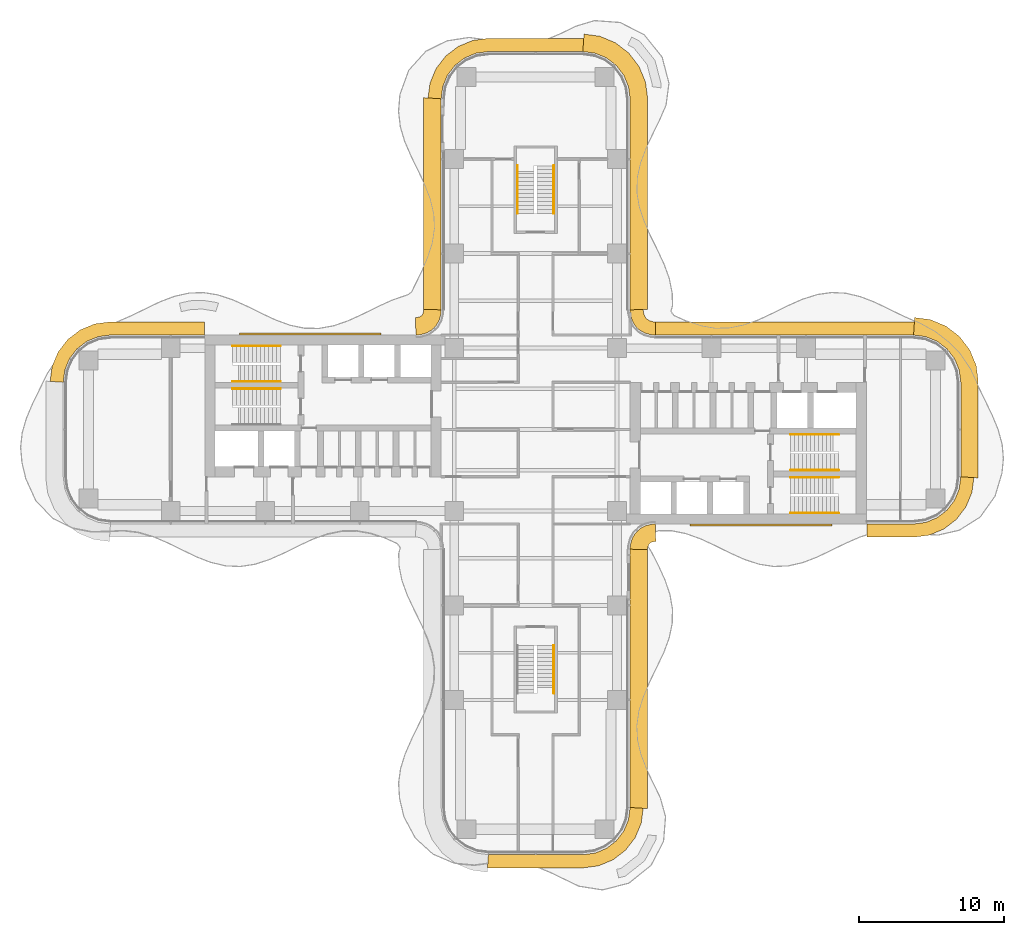
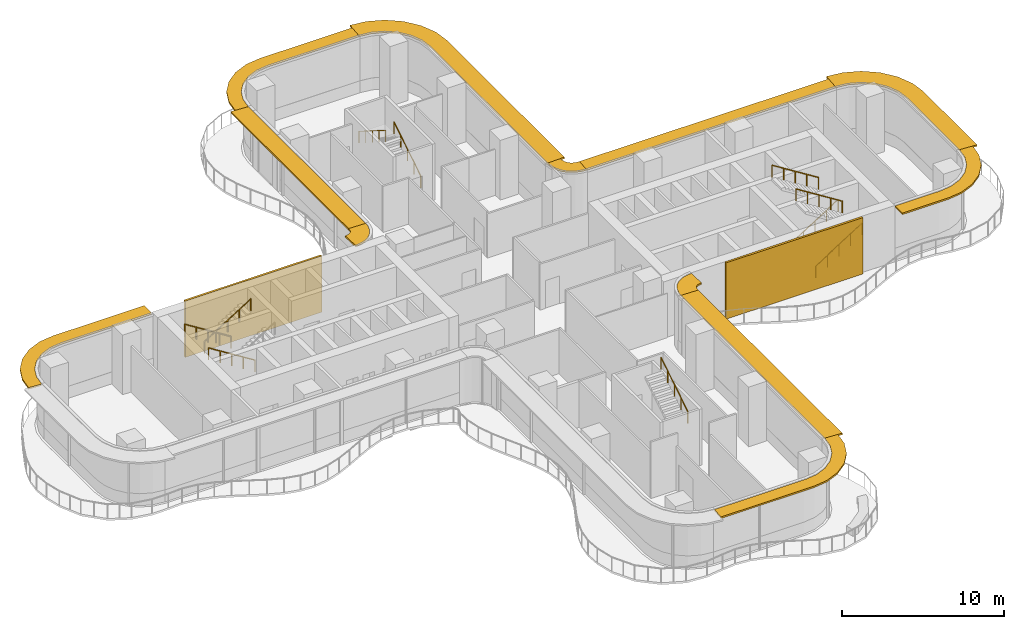
# One storey, part 23 of 23: 12 shading devices, 10 railings, 2 coverings.
"""IFC4 building model written with IfcOpenShell, lengths in metres."""

from ifc_helpers import new_model, si_unit, direction, frame, origin, origin_2d, place, context, subcontext, project, spatial, polyline, circle, outline, extrude, source, transform, mapped, material, layer, layer_set, type_object, element, save


model = new_model("IFC4")

# Units and contexts
model_context = context("Model", 3, precision=1e-05, world=origin(), true_north=direction((0.0, 1.0)))
body_context = subcontext(model_context, "Body", "Model", "MODEL_VIEW")
ifc_project = project(units=[si_unit("LENGTHUNIT", "METRE"), si_unit("AREAUNIT", "SQUARE_METRE"), si_unit("VOLUMEUNIT", "CUBIC_METRE"), si_unit("PLANEANGLEUNIT", "RADIAN"), si_unit("MASSUNIT", "GRAM", prefix="KILO")], contexts=[model_context])

# Site, building, storey
site_placement = place(None, origin())
site = spatial("IfcSite", under=ifc_project, at=site_placement, CompositionType="ELEMENT")
building_placement = place(site_placement, origin())
building = spatial("IfcBuilding", under=site, at=building_placement, Name="Trellis Farm Tower", CompositionType="ELEMENT")
storey_placement = place(building_placement, frame((0.0, 0.0, 120.0)))
storey = spatial("IfcBuildingStorey", under=building, at=storey_placement, Name="L25", CompositionType="ELEMENT", Elevation=120.0)

# Railings
ifc_material_1 = material(Name="Stainless steel", Category="steel")
railing_type = type_object("IfcRailingType", Name="STAIR HANDRAIL 900", PredefinedType="HANDRAIL", material=ifc_material_1)
shared_shape_1 = source(origin(), body_context, "Body", "SweptSolid", [
    extrude(circle(Radius=0.02392578125, at=origin_2d()), frame((0.0, 0.0, 0.8759765625), z_axis=(0.0, 0.846319618018, 0.532675421018), x_axis=(-1.0, 0.0, 0.0)), (0.0, 0.0, 1.0), 3.89892578125),
    extrude(circle(Radius=0.02099609375, at=origin_2d()), origin(), (0.0, 0.0, 1.0), 0.851806640625),
    extrude(circle(Radius=0.02099609375, at=origin_2d()), frame((0.0, 0.824951171875, 0.519287109375)), (0.0, 0.0, 1.0), 0.851806640625),
    extrude(circle(Radius=0.02099609375, at=origin_2d()), frame((0.0, 1.64990234375, 1.03857421875)), (0.0, 0.0, 1.0), 0.851806640625),
    extrude(circle(Radius=0.02099609375, at=origin_2d()), frame((0.0, 2.474853515625, 1.5576171875)), (0.0, 0.0, 1.0), 0.851806640625),
    extrude(circle(Radius=0.02099609375, at=origin_2d()), frame((0.0, 3.2998046875, 2.076904296875)), (0.0, 0.0, 1.0), 0.851806640625),
])
for number, where, name in (
    (1, (1.25, 14.85009765625, 0.173095703125), "Stair handrail"),
    (2, (1.25, -18.14990234375, 2.423095703125), "Stair handrail"),
):
    element("IfcRailing", number, at=place(storey_placement, frame(where)), inside=storey, type_object=railing_type, Name=name, PredefinedType="HANDRAIL", context=body_context, shape_type="MappedRepresentation", body=[
        mapped(shared_shape_1, transform((0.0, 0.0, 0.0))),
    ])
shared_shape_2 = source(origin(), body_context, "Body", "SweptSolid", [
    extrude(circle(Radius=0.02392578125, at=origin_2d()), frame((0.0, 0.0, 0.8759765625), z_axis=(0.0, -0.846319618018, 0.532675421018), x_axis=(1.0, 0.0, 0.0)), (0.0, 0.0, 1.0), 3.89892578125),
    extrude(circle(Radius=0.02099609375, at=origin_2d()), origin(), (0.0, 0.0, 1.0), 0.851806640625),
    extrude(circle(Radius=0.02099609375, at=origin_2d()), frame((0.0, -0.824951171875, 0.519287109375)), (0.0, 0.0, 1.0), 0.851806640625),
    extrude(circle(Radius=0.02099609375, at=origin_2d()), frame((0.0, -1.64990234375, 1.03857421875)), (0.0, 0.0, 1.0), 0.851806640625),
    extrude(circle(Radius=0.02099609375, at=origin_2d()), frame((0.0, -2.474853515625, 1.5576171875)), (0.0, 0.0, 1.0), 0.851806640625),
    extrude(circle(Radius=0.02099609375, at=origin_2d()), frame((0.0, -3.2998046875, 2.076904296875)), (0.0, 0.0, 1.0), 0.851806640625),
])
railing_placement = place(storey_placement, frame((-1.25, 18.14990234375, 2.423095703125)))
element("IfcRailing", 3, at=railing_placement, inside=storey, type_object=railing_type, Name="Stair handrail", PredefinedType="HANDRAIL", context=body_context, shape_type="MappedRepresentation", body=[
    mapped(shared_shape_2, transform((0.0, 0.0, 0.0))),
])
shared_shape_3 = source(origin(), body_context, "Body", "SweptSolid", [
    extrude(circle(Radius=0.02392578125, at=origin_2d()), frame((0.0, 0.0, 0.8759765625), z_axis=(0.846337383501, 0.0, 0.532647194011), x_axis=(0.0, 1.0, 0.0)), (0.0, 0.0, 1.0), 3.899169921875),
    extrude(circle(Radius=0.02099609375, at=origin_2d()), origin(), (0.0, 0.0, 1.0), 0.851806640625),
    extrude(circle(Radius=0.02099609375, at=origin_2d()), frame((0.824951171875, 0.0, 0.519287109375)), (0.0, 0.0, 1.0), 0.851806640625),
    extrude(circle(Radius=0.02099609375, at=origin_2d()), frame((1.64990234375, 0.0, 1.03857421875)), (0.0, 0.0, 1.0), 0.851806640625),
    extrude(circle(Radius=0.02099609375, at=origin_2d()), frame((2.47509765625, 0.0, 1.5576171875)), (0.0, 0.0, 1.0), 0.851806640625),
    extrude(circle(Radius=0.02099609375, at=origin_2d()), frame((3.300048828125, 0.0, 2.076904296875)), (0.0, 0.0, 1.0), 0.851806640625),
])
for number, where, name in (
    (4, (17.550048828125, -5.75, 0.173095703125), "Stair handrail"),
    (5, (17.550048828125, -2.800048828125, 0.173095703125), "Stair handrail"),
    (6, (-20.85009765625, 3.300048828125, 2.423095703125), "Stair handrail"),
):
    element("IfcRailing", number, at=place(storey_placement, frame(where)), inside=storey, type_object=railing_type, Name=name, PredefinedType="HANDRAIL", context=body_context, shape_type="MappedRepresentation", body=[
        mapped(shared_shape_3, transform((0.0, 0.0, 0.0))),
    ])
shared_shape_4 = source(origin(), body_context, "Body", "SweptSolid", [
    extrude(circle(Radius=0.02392578125, at=origin_2d()), frame((0.0, 0.0, 0.8759765625), z_axis=(-0.846337383501, 0.0, 0.532647194011), x_axis=(0.0, -1.0, 0.0)), (0.0, 0.0, 1.0), 3.899169921875),
    extrude(circle(Radius=0.02099609375, at=origin_2d()), origin(), (0.0, 0.0, 1.0), 0.851806640625),
    extrude(circle(Radius=0.02099609375, at=origin_2d()), frame((-0.824951171875, 0.0, 0.519287109375)), (0.0, 0.0, 1.0), 0.851806640625),
    extrude(circle(Radius=0.02099609375, at=origin_2d()), frame((-1.64990234375, 0.0, 1.03857421875)), (0.0, 0.0, 1.0), 0.851806640625),
    extrude(circle(Radius=0.02099609375, at=origin_2d()), frame((-2.47509765625, 0.0, 1.5576171875)), (0.0, 0.0, 1.0), 0.851806640625),
    extrude(circle(Radius=0.02099609375, at=origin_2d()), frame((-3.300048828125, 0.0, 2.076904296875)), (0.0, 0.0, 1.0), 0.851806640625),
])
for number, where, name in (
    (7, (20.85009765625, -3.300048828125, 2.423095703125), "Stair handrail"),
    (8, (20.85009765625, -0.35009765625, 2.423095703125), "Stair handrail"),
    (9, (-17.550048828125, 5.75, 0.173095703125), "Stair handrail"),
    (10, (-17.550048828125, 2.800048828125, 0.173095703125), "Stair handrail"),
):
    element("IfcRailing", number, at=place(storey_placement, frame(where)), inside=storey, type_object=railing_type, Name=name, PredefinedType="HANDRAIL", context=body_context, shape_type="MappedRepresentation", body=[
        mapped(shared_shape_4, transform((0.0, 0.0, 0.0))),
    ])

# Shading devices
ifc_material_2 = material(Name="Aluminium extrusion 6063-T6", Category="aluminium")
ifc_layer_1 = layer(ifc_material_2, 0.1201171875)
ifc_layer_set_1 = layer_set([ifc_layer_1], Name="SUNSHADE BLADE 900")
shading_device_type_1 = type_object("IfcShadingDeviceType", Name="SUNSHADE BLADE 900", PredefinedType="USERDEFINED", material=ifc_layer_set_1)
shared_shape_5 = source(origin(), body_context, "Body", "SweptSolid", [
    extrude(outline(polyline([(-3.30908203125, -30.14990234375), (3.30908203125, -30.14990234375), (4.326171875, -30.01611328125), (5.328857421875, -29.600830078125), (6.18994140625, -28.93994140625), (6.850830078125, -28.078857421875), (7.26611328125, -27.076171875), (7.39990234375, -26.05908203125), (6.5, -26.0), (6.38916015625, -26.841064453125), (6.064697265625, -27.625), (5.548095703125, -28.298095703125), (4.875, -28.814697265625), (4.091064453125, -29.13916015625), (3.25, -29.25), (-3.25, -29.25), (-3.30908203125, -30.14990234375)])), origin(), (0.0, 0.0, 1.0), 0.119873046875),
])
placement_1 = place(storey_placement, frame((0.0, 0.0, 4.090087890625)))
element("IfcShadingDevice", 11, at=placement_1, inside=storey, type_object=shading_device_type_1, Name="SD1 004", ObjectType="SUNSHADE", PredefinedType="USERDEFINED", context=body_context, shape_type="MappedRepresentation", body=[
    mapped(shared_shape_5, transform((0.0, 0.0, 0.0))),
])
ifc_layer_2 = layer(ifc_material_2, 0.1201171875)
ifc_layer_set_2 = layer_set([ifc_layer_2], Name="SUNSHADE BLADE 1200")
shading_device_type_2 = type_object("IfcShadingDeviceType", Name="SUNSHADE BLADE 1200", PredefinedType="USERDEFINED", material=ifc_layer_set_2)
shared_shape_6 = source(origin(), body_context, "Body", "SweptSolid", [
    extrude(outline(polyline([(7.699951171875, -26.07861328125), (7.699951171875, -8.270751953125), (6.5, -8.2314453125), (6.5, -26.0), (7.699951171875, -26.07861328125)])), origin(), (0.0, 0.0, 1.0), 0.119873046875),
])
element("IfcShadingDevice", 12, at=placement_1, inside=storey, type_object=shading_device_type_2, Name="SD2 005", ObjectType="SUNSHADE", PredefinedType="USERDEFINED", context=body_context, shape_type="MappedRepresentation", body=[
    mapped(shared_shape_6, transform((0.0, 0.0, 0.0))),
])
shared_shape_7 = source(origin(), body_context, "Body", "SweptSolid", [
    extrude(outline(polyline([(7.699951171875, -8.270751953125), (7.708740234375, -8.13720703125), (7.70703125, -8.150146484375), (7.7548828125, -7.9716796875), (7.80712890625, -7.881103515625), (7.881103515625, -7.80712890625), (7.9716796875, -7.7548828125), (8.150146484375, -7.70703125), (8.13720703125, -7.708740234375), (8.270751953125, -7.699951171875), (8.2314453125, -6.5), (8.01953125, -6.513916015625), (7.91552734375, -6.527587890625), (7.508544921875, -6.63671875), (7.144287109375, -6.846923828125), (6.846923828125, -7.144287109375), (6.63671875, -7.508544921875), (6.527587890625, -7.91552734375), (6.513916015625, -8.01953125), (6.5, -8.2314453125), (7.699951171875, -8.270751953125)])), origin(), (0.0, 0.0, 1.0), 0.119873046875),
])
element("IfcShadingDevice", 13, at=placement_1, inside=storey, type_object=shading_device_type_2, Name="SD2 006", ObjectType="SUNSHADE", PredefinedType="USERDEFINED", context=body_context, shape_type="MappedRepresentation", body=[
    mapped(shared_shape_7, transform((0.0, 0.0, 0.0))),
])
shared_shape_8 = source(origin(), body_context, "Body", "SweptSolid", [
    extrude(outline(polyline([(8.2607421875, 7.39990234375), (8.107666015625, 7.409912109375), (8.091552734375, 7.412109375), (7.85595703125, 7.475341796875), (7.697021484375, 7.567138671875), (7.567138671875, 7.697021484375), (7.475341796875, 7.85595703125), (7.412109375, 8.091552734375), (7.409912109375, 8.107666015625), (7.39990234375, 8.2607421875), (6.5, 8.2314453125), (6.513916015625, 8.01953125), (6.527587890625, 7.91552734375), (6.63671875, 7.508544921875), (6.846923828125, 7.144287109375), (7.144287109375, 6.846923828125), (7.508544921875, 6.63671875), (7.91552734375, 6.527587890625), (8.01953125, 6.513916015625), (8.2314453125, 6.5), (8.2607421875, 7.39990234375)])), origin(), (0.0, 0.0, 1.0), 0.119873046875),
])
element("IfcShadingDevice", 14, at=placement_1, inside=storey, type_object=shading_device_type_1, Name="SD1 010", ObjectType="SUNSHADE", PredefinedType="USERDEFINED", context=body_context, shape_type="MappedRepresentation", body=[
    mapped(shared_shape_8, transform((0.0, 0.0, 0.0))),
])
shared_shape_9 = source(origin(), body_context, "Body", "SweptSolid", [
    extrude(outline(polyline([(-7.699951171875, 8.270751953125), (-7.708740234375, 8.13720703125), (-7.70703125, 8.150146484375), (-7.7548828125, 7.9716796875), (-7.80712890625, 7.881103515625), (-7.881103515625, 7.80712890625), (-7.9716796875, 7.7548828125), (-8.150146484375, 7.70703125), (-8.13720703125, 7.708740234375), (-8.270751953125, 7.699951171875), (-8.2314453125, 6.5), (-8.01953125, 6.513916015625), (-7.91552734375, 6.527587890625), (-7.508544921875, 6.63671875), (-7.144287109375, 6.846923828125), (-6.846923828125, 7.144287109375), (-6.63671875, 7.508544921875), (-6.527587890625, 7.91552734375), (-6.513916015625, 8.01953125), (-6.5, 8.2314453125), (-7.699951171875, 8.270751953125)])), origin(), (0.0, 0.0, 1.0), 0.119873046875),
])
element("IfcShadingDevice", 15, at=placement_1, inside=storey, type_object=shading_device_type_2, Name="SD2 014", ObjectType="SUNSHADE", PredefinedType="USERDEFINED", context=body_context, shape_type="MappedRepresentation", body=[
    mapped(shared_shape_9, transform((0.0, 0.0, 0.0))),
])
shared_shape_10 = source(origin(), body_context, "Body", "SweptSolid", [
    extrude(outline(polyline([(-22.780029296875, 7.39990234375), (-29.30908203125, 7.39990234375), (-30.326171875, 7.26611328125), (-31.328857421875, 6.850830078125), (-32.18994140625, 6.18994140625), (-32.850830078125, 5.328857421875), (-33.26611328125, 4.326171875), (-33.39990234375, 3.30908203125), (-32.5, 3.25), (-32.38916015625, 4.091064453125), (-32.064697265625, 4.875), (-31.548095703125, 5.548095703125), (-30.875, 6.064697265625), (-30.091064453125, 6.38916015625), (-29.25, 6.5), (-22.780029296875, 6.5), (-22.780029296875, 7.39990234375)])), origin(), (0.0, 0.0, 1.0), 0.119873046875),
])
element("IfcShadingDevice", 16, at=placement_1, inside=storey, type_object=shading_device_type_1, Name="SD1 015", ObjectType="SUNSHADE", PredefinedType="USERDEFINED", context=body_context, shape_type="MappedRepresentation", body=[
    mapped(shared_shape_10, transform((0.0, 0.0, 0.0))),
])

# Coverings
ifc_material_3 = material(Name="Perforated precast screen (cobogo)", Category="concrete")
ifc_layer_3 = layer(ifc_material_3, 0.14990234375)
ifc_layer_set_3 = layer_set([ifc_layer_3], Name="COBOGO SCREEN PANEL")
covering_type = type_object("IfcCoveringType", Name="COBOGO SCREEN PANEL", PredefinedType="USERDEFINED", material=ifc_layer_set_3)
shared_shape_11 = source(origin(), body_context, "Body", "SweptSolid", [
    extrude(outline(polyline([(10.630615234375, -6.64990234375), (20.380615234375, -6.64990234375), (20.380615234375, -6.5), (10.630615234375, -6.5), (10.630615234375, -6.64990234375)])), origin(), (0.0, 0.0, 1.0), 4.25),
])
placement_2 = place(storey_placement, origin())
element("IfcCovering", 17, at=placement_2, inside=storey, type_object=covering_type, Name="SC1 01", ObjectType="SCREEN", PredefinedType="USERDEFINED", context=body_context, shape_type="MappedRepresentation", body=[
    mapped(shared_shape_11, transform((0.0, 0.0, 0.0))),
])
shared_shape_12 = source(origin(), body_context, "Body", "SweptSolid", [
    extrude(outline(polyline([(-10.630615234375, 6.64990234375), (-20.380615234375, 6.64990234375), (-20.380615234375, 6.5), (-10.630615234375, 6.5), (-10.630615234375, 6.64990234375)])), origin(), (0.0, 0.0, 1.0), 4.25),
])
element("IfcCovering", 18, at=placement_2, inside=storey, type_object=covering_type, Name="SC1 02", ObjectType="SCREEN", PredefinedType="USERDEFINED", context=body_context, shape_type="MappedRepresentation", body=[
    mapped(shared_shape_12, transform((0.0, 0.0, 0.0))),
])

# Shading devices
shared_shape_13 = source(origin(), body_context, "Body", "SweptSolid", [
    extrude(outline(polyline([(7.699951171875, 8.270751953125), (7.699951171875, 22.82861328125), (7.558349609375, 23.904541015625), (7.11279296875, 24.980224609375), (6.404052734375, 25.904052734375), (5.480224609375, 26.61279296875), (4.404541015625, 27.058349609375), (3.32861328125, 27.199951171875), (3.25, 26.0), (4.091064453125, 25.88916015625), (4.875, 25.564697265625), (5.548095703125, 25.048095703125), (6.064697265625, 24.375), (6.38916015625, 23.591064453125), (6.5, 22.75), (6.5, 8.2314453125), (7.699951171875, 8.270751953125)])), origin(), (0.0, 0.0, 1.0), 0.119873046875),
])
element("IfcShadingDevice", 19, at=placement_1, inside=storey, type_object=shading_device_type_2, Name="SD2 011", ObjectType="SUNSHADE", PredefinedType="USERDEFINED", context=body_context, shape_type="MappedRepresentation", body=[
    mapped(shared_shape_13, transform((0.0, 0.0, 0.0))),
])
shared_shape_14 = source(origin(), body_context, "Body", "SweptSolid", [
    extrude(outline(polyline([(3.30908203125, 26.89990234375), (-3.30908203125, 26.89990234375), (-4.326171875, 26.76611328125), (-5.328857421875, 26.350830078125), (-6.18994140625, 25.68994140625), (-6.850830078125, 24.828857421875), (-7.26611328125, 23.826171875), (-7.39990234375, 22.80908203125), (-6.5, 22.75), (-6.38916015625, 23.591064453125), (-6.064697265625, 24.375), (-5.548095703125, 25.048095703125), (-4.875, 25.564697265625), (-4.091064453125, 25.88916015625), (-3.25, 26.0), (3.25, 26.0), (3.30908203125, 26.89990234375)])), origin(), (0.0, 0.0, 1.0), 0.119873046875),
])
element("IfcShadingDevice", 20, at=placement_1, inside=storey, type_object=shading_device_type_1, Name="SD1 012", ObjectType="SUNSHADE", PredefinedType="USERDEFINED", context=body_context, shape_type="MappedRepresentation", body=[
    mapped(shared_shape_14, transform((0.0, 0.0, 0.0))),
])
shared_shape_15 = source(origin(), body_context, "Body", "SweptSolid", [
    extrude(outline(polyline([(-7.699951171875, 22.82861328125), (-7.699951171875, 8.270751953125), (-6.5, 8.2314453125), (-6.5, 22.75), (-7.699951171875, 22.82861328125)])), origin(), (0.0, 0.0, 1.0), 0.119873046875),
])
element("IfcShadingDevice", 21, at=placement_1, inside=storey, type_object=shading_device_type_2, Name="SD2 013", ObjectType="SUNSHADE", PredefinedType="USERDEFINED", context=body_context, shape_type="MappedRepresentation", body=[
    mapped(shared_shape_15, transform((0.0, 0.0, 0.0))),
])
shared_shape_16 = source(origin(), body_context, "Body", "SweptSolid", [
    extrude(outline(polyline([(22.780029296875, -7.39990234375), (26.05908203125, -7.39990234375), (27.076171875, -7.26611328125), (28.078857421875, -6.850830078125), (28.93994140625, -6.18994140625), (29.600830078125, -5.328857421875), (30.01611328125, -4.326171875), (30.14990234375, -3.30908203125), (29.25, -3.25), (29.13916015625, -4.091064453125), (28.814697265625, -4.875), (28.298095703125, -5.548095703125), (27.625, -6.064697265625), (26.841064453125, -6.38916015625), (26.0, -6.5), (22.780029296875, -6.5), (22.780029296875, -7.39990234375)])), origin(), (0.0, 0.0, 1.0), 0.119873046875),
])
element("IfcShadingDevice", 22, at=placement_1, inside=storey, type_object=shading_device_type_1, Name="SD1 007", ObjectType="SUNSHADE", PredefinedType="USERDEFINED", context=body_context, shape_type="MappedRepresentation", body=[
    mapped(shared_shape_16, transform((0.0, 0.0, 0.0))),
])
shared_shape_17 = source(origin(), body_context, "Body", "SweptSolid", [
    extrude(outline(polyline([(30.449951171875, -3.32861328125), (30.449951171875, 3.32861328125), (30.308349609375, 4.404541015625), (29.86279296875, 5.480224609375), (29.154052734375, 6.404052734375), (28.230224609375, 7.11279296875), (27.154541015625, 7.558349609375), (26.07861328125, 7.699951171875), (26.0, 6.5), (26.841064453125, 6.38916015625), (27.625, 6.064697265625), (28.298095703125, 5.548095703125), (28.814697265625, 4.875), (29.13916015625, 4.091064453125), (29.25, 3.25), (29.25, -3.25), (30.449951171875, -3.32861328125)])), origin(), (0.0, 0.0, 1.0), 0.119873046875),
])
element("IfcShadingDevice", 23, at=placement_1, inside=storey, type_object=shading_device_type_2, Name="SD2 008", ObjectType="SUNSHADE", PredefinedType="USERDEFINED", context=body_context, shape_type="MappedRepresentation", body=[
    mapped(shared_shape_17, transform((0.0, 0.0, 0.0))),
])
shared_shape_18 = source(origin(), body_context, "Body", "SweptSolid", [
    extrude(outline(polyline([(26.05908203125, 7.39990234375), (8.2607421875, 7.39990234375), (8.2314453125, 6.5), (26.0, 6.5), (26.05908203125, 7.39990234375)])), origin(), (0.0, 0.0, 1.0), 0.119873046875),
])
element("IfcShadingDevice", 24, at=placement_1, inside=storey, type_object=shading_device_type_1, Name="SD1 009", ObjectType="SUNSHADE", PredefinedType="USERDEFINED", context=body_context, shape_type="MappedRepresentation", body=[
    mapped(shared_shape_18, transform((0.0, 0.0, 0.0))),
])

save(model, "model.ifc")
